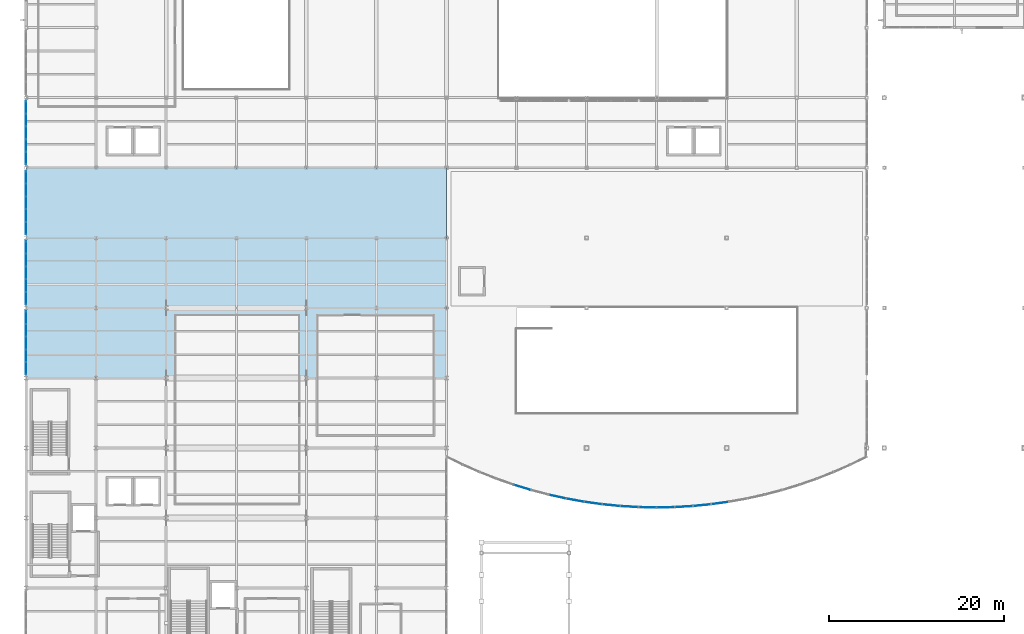
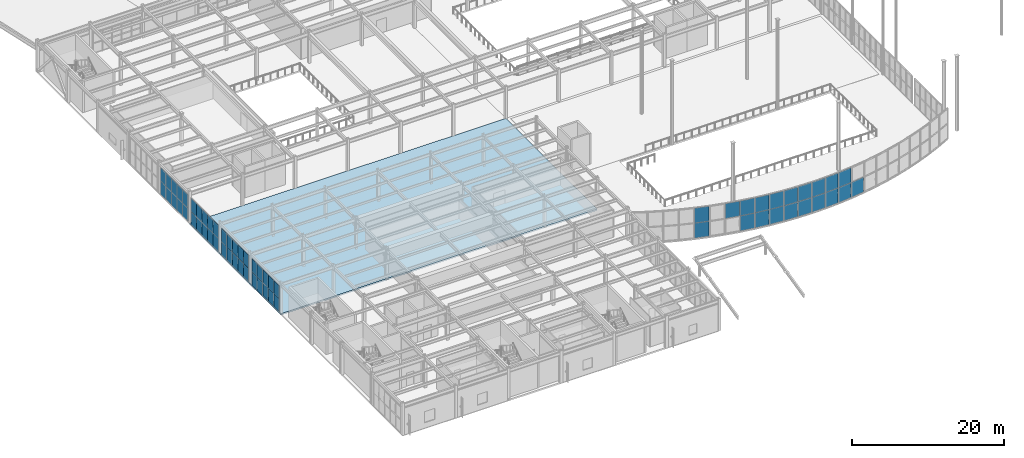
# One storey, part 47 of 77: 60 plates, 1 slab, 15 elements without a shape of their own.
"""IFC4 building model written with IfcOpenShell, lengths in metres."""

from ifc_helpers import new_model, si_unit, direction, frame, origin, origin_2d, place, context, subcontext, project, spatial, polyline, rectangle, outline, extrude, material, layer, layer_set, type_object, element, aggregate, save


model = new_model("IFC4")

# Units and contexts
model_context = context("Model", 3, precision=1e-05, world=origin(), true_north=direction((0.0, 1.0)))
body_context = subcontext(model_context, "Body", "Model", "MODEL_VIEW")
ifc_project = project(units=[si_unit("LENGTHUNIT", "METRE"), si_unit("AREAUNIT", "SQUARE_METRE"), si_unit("VOLUMEUNIT", "CUBIC_METRE"), si_unit("PLANEANGLEUNIT", "RADIAN"), si_unit("MASSUNIT", "GRAM", prefix="KILO")], contexts=[model_context])

# Site, building, storey
site_placement = place(None, origin())
site = spatial("IfcSite", under=ifc_project, at=site_placement, CompositionType="ELEMENT")
building_placement = place(site_placement, origin())
building = spatial("IfcBuilding", under=site, at=building_placement, Name="Drelvath Fold Interchange", CompositionType="ELEMENT")
storey_placement = place(building_placement, frame((0.0, 0.0, 6.0)))
storey = spatial("IfcBuildingStorey", under=building, at=storey_placement, Name="L01", CompositionType="ELEMENT", Elevation=6.0)

# Curtain wall, plates
ifc_material_1 = material(Name="Anodized Aluminium 6063-T6", Category="aluminium")
curtain_wall_type_1 = type_object("IfcCurtainWallType", Name="CW-ARC-L01", PredefinedType="USERDEFINED", material=ifc_material_1)
curtain_wall_1_placement = place(storey_placement, origin())
curtain_wall_1 = element("IfcCurtainWall", 1, at=curtain_wall_1_placement, inside=storey, type_object=curtain_wall_type_1, Name="Curtain wall CW-WH-L01-04", ObjectType="UNITISED CURTAIN WALL", PredefinedType="USERDEFINED")
ifc_material_2 = material(Name="Low-Iron Insulated Laminated Glass", Category="glass")
ifc_layer_1 = layer(ifc_material_2, 0.035888671875, Name="Low-Iron Insulated Laminated Glass")
ifc_layer_set_1 = layer_set([ifc_layer_1], Name="Low-Iron Insulated Laminated Glass")
plate_type_1 = type_object("IfcPlateType", Name="CP-ARC-A", PredefinedType="CURTAIN_PANEL", material=ifc_layer_set_1)
plate_1_placement = place(storey_placement, frame((60.652099609375, 22.4970703125, 0.0400390625), z_axis=(0.0, 0.0, 1.0), x_axis=(0.956330266566, -0.292288250276, 0.0)))
plate_1 = element("IfcPlate", 2, at=plate_1_placement, type_object=plate_type_1, Name="CW-WH-L01-04 glazed panel 0-0", PredefinedType="CURTAIN_PANEL", context=body_context, shape_type="SweptSolid", body=[
    extrude(rectangle(XDim=1.97705078125, YDim=0.035888671875, at=origin_2d()), origin(), (0.0, 0.0, 1.0), 2.39990234375),
])
plate_2_placement = place(storey_placement, frame((60.652099609375, 22.4970703125, 2.4599609375), z_axis=(0.0, 0.0, 1.0), x_axis=(0.956330266566, -0.292288250276, 0.0)))
plate_2 = element("IfcPlate", 3, at=plate_2_placement, type_object=plate_type_1, Name="CW-WH-L01-04 glazed panel 0-1", PredefinedType="CURTAIN_PANEL", context=body_context, shape_type="SweptSolid", body=[
    extrude(rectangle(XDim=1.97705078125, YDim=0.035888671875, at=origin_2d()), origin(), (0.0, 0.0, 1.0), 2.39990234375),
])
aggregate(curtain_wall_1, [plate_1, plate_2])

# Curtain wall, plate
curtain_wall_2_placement = place(storey_placement, origin())
curtain_wall_2 = element("IfcCurtainWall", 4, at=curtain_wall_2_placement, inside=storey, type_object=curtain_wall_type_1, Name="Curtain wall CW-WH-L01-06", ObjectType="UNITISED CURTAIN WALL", PredefinedType="USERDEFINED")
plate_3_placement = place(storey_placement, frame((64.66796875, 21.44091796875, 2.4599609375), z_axis=(0.0, 0.0, 1.0), x_axis=(0.976458168269, -0.215706851122, 0.0)))
plate_3 = element("IfcPlate", 5, at=plate_3_placement, type_object=plate_type_1, Name="CW-WH-L01-06 glazed panel 0-1", PredefinedType="CURTAIN_PANEL", context=body_context, shape_type="SweptSolid", body=[
    extrude(rectangle(XDim=1.97705078125, YDim=0.035888671875, at=origin_2d()), origin(), (0.0, 0.0, 1.0), 2.39990234375),
])
aggregate(curtain_wall_2, [plate_3])

# Curtain wall, plates
curtain_wall_3_placement = place(storey_placement, origin())
curtain_wall_3 = element("IfcCurtainWall", 6, at=curtain_wall_3_placement, inside=storey, type_object=curtain_wall_type_1, Name="Curtain wall CW-WH-L01-07", ObjectType="UNITISED CURTAIN WALL", PredefinedType="USERDEFINED")
plate_4_placement = place(storey_placement, frame((66.7041015625, 21.032958984375, 0.0400390625), z_axis=(0.0, 0.0, 1.0), x_axis=(0.984177058302, -0.177187804071, 0.0)))
plate_4 = element("IfcPlate", 7, at=plate_4_placement, type_object=plate_type_1, Name="CW-WH-L01-07 glazed panel 0-0", PredefinedType="CURTAIN_PANEL", context=body_context, shape_type="SweptSolid", body=[
    extrude(rectangle(XDim=1.97705078125, YDim=0.035888671875, at=origin_2d()), origin(), (0.0, 0.0, 1.0), 2.39990234375),
])
plate_5_placement = place(storey_placement, frame((66.7041015625, 21.032958984375, 2.4599609375), z_axis=(0.0, 0.0, 1.0), x_axis=(0.984177058302, -0.177187804071, 0.0)))
plate_5 = element("IfcPlate", 8, at=plate_5_placement, type_object=plate_type_1, Name="CW-WH-L01-07 glazed panel 0-1", PredefinedType="CURTAIN_PANEL", context=body_context, shape_type="SweptSolid", body=[
    extrude(rectangle(XDim=1.97705078125, YDim=0.035888671875, at=origin_2d()), origin(), (0.0, 0.0, 1.0), 2.39990234375),
])
aggregate(curtain_wall_3, [plate_4, plate_5])

curtain_wall_4_placement = place(storey_placement, origin())
curtain_wall_4 = element("IfcCurtainWall", 9, at=curtain_wall_4_placement, inside=storey, type_object=curtain_wall_type_1, Name="Curtain wall CW-WH-L01-08", ObjectType="UNITISED CURTAIN WALL", PredefinedType="USERDEFINED")
plate_6_placement = place(storey_placement, frame((68.7548828125, 20.7060546875, 0.0400390625), z_axis=(0.0, 0.0, 1.0), x_axis=(0.990406033328, -0.138187876271, 0.0)))
plate_6 = element("IfcPlate", 10, at=plate_6_placement, type_object=plate_type_1, Name="CW-WH-L01-08 glazed panel 0-0", PredefinedType="CURTAIN_PANEL", context=body_context, shape_type="SweptSolid", body=[
    extrude(rectangle(XDim=1.97705078125, YDim=0.035888671875, at=origin_2d()), origin(), (0.0, 0.0, 1.0), 2.39990234375),
])
plate_7_placement = place(storey_placement, frame((68.7548828125, 20.7060546875, 2.4599609375), z_axis=(0.0, 0.0, 1.0), x_axis=(0.990406033328, -0.138187876271, 0.0)))
plate_7 = element("IfcPlate", 11, at=plate_7_placement, type_object=plate_type_1, Name="CW-WH-L01-08 glazed panel 0-1", PredefinedType="CURTAIN_PANEL", context=body_context, shape_type="SweptSolid", body=[
    extrude(rectangle(XDim=1.97705078125, YDim=0.035888671875, at=origin_2d()), origin(), (0.0, 0.0, 1.0), 2.39990234375),
])
aggregate(curtain_wall_4, [plate_6, plate_7])

curtain_wall_5_placement = place(storey_placement, origin())
curtain_wall_5 = element("IfcCurtainWall", 12, at=curtain_wall_5_placement, inside=storey, type_object=curtain_wall_type_1, Name="Curtain wall CW-WH-L01-09", ObjectType="UNITISED CURTAIN WALL", PredefinedType="USERDEFINED")
plate_8_placement = place(storey_placement, frame((70.81591796875, 20.458984375, 0.0400390625), z_axis=(0.0, 0.0, 1.0), x_axis=(0.99511777798, -0.098694518326, 0.0)))
plate_8 = element("IfcPlate", 13, at=plate_8_placement, type_object=plate_type_1, Name="CW-WH-L01-09 glazed panel 0-0", PredefinedType="CURTAIN_PANEL", context=body_context, shape_type="SweptSolid", body=[
    extrude(rectangle(XDim=1.97705078125, YDim=0.035888671875, at=origin_2d()), origin(), (0.0, 0.0, 1.0), 2.39990234375),
])
plate_9_placement = place(storey_placement, frame((70.81591796875, 20.458984375, 2.4599609375), z_axis=(0.0, 0.0, 1.0), x_axis=(0.99511777798, -0.098694518326, 0.0)))
plate_9 = element("IfcPlate", 14, at=plate_9_placement, type_object=plate_type_1, Name="CW-WH-L01-09 glazed panel 0-1", PredefinedType="CURTAIN_PANEL", context=body_context, shape_type="SweptSolid", body=[
    extrude(rectangle(XDim=1.97705078125, YDim=0.035888671875, at=origin_2d()), origin(), (0.0, 0.0, 1.0), 2.39990234375),
])
aggregate(curtain_wall_5, [plate_8, plate_9])

curtain_wall_6_placement = place(storey_placement, origin())
curtain_wall_6 = element("IfcCurtainWall", 15, at=curtain_wall_6_placement, inside=storey, type_object=curtain_wall_type_1, Name="Curtain wall CW-WH-L01-10", ObjectType="UNITISED CURTAIN WALL", PredefinedType="USERDEFINED")
plate_10_placement = place(storey_placement, frame((72.885986328125, 20.2958984375, 0.0400390625), z_axis=(0.0, 0.0, 1.0), x_axis=(0.998243965857, -0.059236683145, 0.0)))
plate_10 = element("IfcPlate", 16, at=plate_10_placement, type_object=plate_type_1, Name="CW-WH-L01-10 glazed panel 0-0", PredefinedType="CURTAIN_PANEL", context=body_context, shape_type="SweptSolid", body=[
    extrude(rectangle(XDim=1.97705078125, YDim=0.035888671875, at=origin_2d()), origin(), (0.0, 0.0, 1.0), 2.39990234375),
])
plate_11_placement = place(storey_placement, frame((72.885986328125, 20.2958984375, 2.4599609375), z_axis=(0.0, 0.0, 1.0), x_axis=(0.998243965857, -0.059236683145, 0.0)))
plate_11 = element("IfcPlate", 17, at=plate_11_placement, type_object=plate_type_1, Name="CW-WH-L01-10 glazed panel 0-1", PredefinedType="CURTAIN_PANEL", context=body_context, shape_type="SweptSolid", body=[
    extrude(rectangle(XDim=1.97705078125, YDim=0.035888671875, at=origin_2d()), origin(), (0.0, 0.0, 1.0), 2.39990234375),
])
aggregate(curtain_wall_6, [plate_10, plate_11])

curtain_wall_7_placement = place(storey_placement, origin())
curtain_wall_7 = element("IfcCurtainWall", 18, at=curtain_wall_7_placement, inside=storey, type_object=curtain_wall_type_1, Name="Curtain wall CW-WH-L01-11", ObjectType="UNITISED CURTAIN WALL", PredefinedType="USERDEFINED")
plate_12_placement = place(storey_placement, frame((74.9619140625, 20.214111328125, 0.0400390625), z_axis=(0.0, 0.0, 1.0), x_axis=(0.999805178965, -0.019738391922, 0.0)))
plate_12 = element("IfcPlate", 19, at=plate_12_placement, type_object=plate_type_1, Name="CW-WH-L01-11 glazed panel 0-0", PredefinedType="CURTAIN_PANEL", context=body_context, shape_type="SweptSolid", body=[
    extrude(rectangle(XDim=1.97705078125, YDim=0.035888671875, at=origin_2d()), origin(), (0.0, 0.0, 1.0), 2.39990234375),
])
plate_13_placement = place(storey_placement, frame((74.9619140625, 20.214111328125, 2.4599609375), z_axis=(0.0, 0.0, 1.0), x_axis=(0.999805178965, -0.019738391922, 0.0)))
plate_13 = element("IfcPlate", 20, at=plate_13_placement, type_object=plate_type_1, Name="CW-WH-L01-11 glazed panel 0-1", PredefinedType="CURTAIN_PANEL", context=body_context, shape_type="SweptSolid", body=[
    extrude(rectangle(XDim=1.97705078125, YDim=0.035888671875, at=origin_2d()), origin(), (0.0, 0.0, 1.0), 2.39990234375),
])
aggregate(curtain_wall_7, [plate_12, plate_13])

curtain_wall_8_placement = place(storey_placement, origin())
curtain_wall_8 = element("IfcCurtainWall", 21, at=curtain_wall_8_placement, inside=storey, type_object=curtain_wall_type_1, Name="Curtain wall CW-WH-L01-12", ObjectType="UNITISED CURTAIN WALL", PredefinedType="USERDEFINED")
plate_14_placement = place(storey_placement, frame((77.0380859375, 20.214111328125, 0.0400390625), z_axis=(0.0, 0.0, 1.0), x_axis=(0.999805178965, 0.019738391922, 0.0)))
plate_14 = element("IfcPlate", 22, at=plate_14_placement, type_object=plate_type_1, Name="CW-WH-L01-12 glazed panel 0-0", PredefinedType="CURTAIN_PANEL", context=body_context, shape_type="SweptSolid", body=[
    extrude(rectangle(XDim=1.97705078125, YDim=0.035888671875, at=origin_2d()), origin(), (0.0, 0.0, 1.0), 2.39990234375),
])
plate_15_placement = place(storey_placement, frame((77.0380859375, 20.214111328125, 2.4599609375), z_axis=(0.0, 0.0, 1.0), x_axis=(0.999805178965, 0.019738391922, 0.0)))
plate_15 = element("IfcPlate", 23, at=plate_15_placement, type_object=plate_type_1, Name="CW-WH-L01-12 glazed panel 0-1", PredefinedType="CURTAIN_PANEL", context=body_context, shape_type="SweptSolid", body=[
    extrude(rectangle(XDim=1.97705078125, YDim=0.035888671875, at=origin_2d()), origin(), (0.0, 0.0, 1.0), 2.39990234375),
])
aggregate(curtain_wall_8, [plate_14, plate_15])

curtain_wall_9_placement = place(storey_placement, origin())
curtain_wall_9 = element("IfcCurtainWall", 24, at=curtain_wall_9_placement, inside=storey, type_object=curtain_wall_type_1, Name="Curtain wall CW-WH-L01-13", ObjectType="UNITISED CURTAIN WALL", PredefinedType="USERDEFINED")
plate_16_placement = place(storey_placement, frame((79.114013671875, 20.2958984375, 0.0400390625), z_axis=(0.0, 0.0, 1.0), x_axis=(0.998243965857, 0.059236683145, 0.0)))
plate_16 = element("IfcPlate", 25, at=plate_16_placement, type_object=plate_type_1, Name="CW-WH-L01-13 glazed panel 0-0", PredefinedType="CURTAIN_PANEL", context=body_context, shape_type="SweptSolid", body=[
    extrude(rectangle(XDim=1.97705078125, YDim=0.035888671875, at=origin_2d()), origin(), (0.0, 0.0, 1.0), 2.39990234375),
])
plate_17_placement = place(storey_placement, frame((79.114013671875, 20.2958984375, 2.4599609375), z_axis=(0.0, 0.0, 1.0), x_axis=(0.998243965857, 0.059236683145, 0.0)))
plate_17 = element("IfcPlate", 26, at=plate_17_placement, type_object=plate_type_1, Name="CW-WH-L01-13 glazed panel 0-1", PredefinedType="CURTAIN_PANEL", context=body_context, shape_type="SweptSolid", body=[
    extrude(rectangle(XDim=1.97705078125, YDim=0.035888671875, at=origin_2d()), origin(), (0.0, 0.0, 1.0), 2.39990234375),
])
aggregate(curtain_wall_9, [plate_16, plate_17])

curtain_wall_10_placement = place(storey_placement, origin())
curtain_wall_10 = element("IfcCurtainWall", 27, at=curtain_wall_10_placement, inside=storey, type_object=curtain_wall_type_1, Name="Curtain wall CW-WH-L01-14", ObjectType="UNITISED CURTAIN WALL", PredefinedType="USERDEFINED")
plate_18_placement = place(storey_placement, frame((81.18408203125, 20.458984375, 0.0400390625), z_axis=(0.0, 0.0, 1.0), x_axis=(0.99511777798, 0.098694518326, 0.0)))
plate_18 = element("IfcPlate", 28, at=plate_18_placement, type_object=plate_type_1, Name="CW-WH-L01-14 glazed panel 0-0", PredefinedType="CURTAIN_PANEL", context=body_context, shape_type="SweptSolid", body=[
    extrude(rectangle(XDim=1.97705078125, YDim=0.035888671875, at=origin_2d()), origin(), (0.0, 0.0, 1.0), 2.39990234375),
])
plate_19_placement = place(storey_placement, frame((81.18408203125, 20.458984375, 2.4599609375), z_axis=(0.0, 0.0, 1.0), x_axis=(0.99511777798, 0.098694518326, 0.0)))
plate_19 = element("IfcPlate", 29, at=plate_19_placement, type_object=plate_type_1, Name="CW-WH-L01-14 glazed panel 0-1", PredefinedType="CURTAIN_PANEL", context=body_context, shape_type="SweptSolid", body=[
    extrude(rectangle(XDim=1.97705078125, YDim=0.035888671875, at=origin_2d()), origin(), (0.0, 0.0, 1.0), 2.39990234375),
])
aggregate(curtain_wall_10, [plate_18, plate_19])

# Curtain wall, plate
curtain_wall_11_placement = place(storey_placement, origin())
curtain_wall_11 = element("IfcCurtainWall", 30, at=curtain_wall_11_placement, inside=storey, type_object=curtain_wall_type_1, Name="Curtain wall CW-WH-L01-15", ObjectType="UNITISED CURTAIN WALL", PredefinedType="USERDEFINED")
plate_20_placement = place(storey_placement, frame((83.2451171875, 20.7060546875, 0.0400390625), z_axis=(0.0, 0.0, 1.0), x_axis=(0.990406033328, 0.138187876271, 0.0)))
plate_20 = element("IfcPlate", 31, at=plate_20_placement, type_object=plate_type_1, Name="CW-WH-L01-15 glazed panel 0-0", PredefinedType="CURTAIN_PANEL", context=body_context, shape_type="SweptSolid", body=[
    extrude(rectangle(XDim=1.97705078125, YDim=0.035888671875, at=origin_2d()), origin(), (0.0, 0.0, 1.0), 2.39990234375),
])
aggregate(curtain_wall_11, [plate_20])

# Curtain wall, plates
curtain_wall_type_2 = type_object("IfcCurtainWallType", Name="CW-CON-520", PredefinedType="USERDEFINED", material=ifc_material_1)
curtain_wall_12_placement = place(storey_placement, origin())
curtain_wall_12 = element("IfcCurtainWall", 32, at=curtain_wall_12_placement, inside=storey, type_object=curtain_wall_type_2, Name="Curtain wall CW-V1-L01-W59", ObjectType="UNITISED CURTAIN WALL", PredefinedType="USERDEFINED")
ifc_layer_2 = layer(ifc_material_2, 0.05810546875, Name="Low-Iron Insulated Laminated Glass")
ifc_layer_set_2 = layer_set([ifc_layer_2], Name="Low-Iron Insulated Laminated Glass")
plate_type_2 = type_object("IfcPlateType", Name="CP-CON-B", PredefinedType="CURTAIN_PANEL", material=ifc_layer_set_2)
plate_21_placement = place(storey_placement, frame((4.0, 60.10791015625, 0.04052734375), z_axis=(0.0, 0.0, 1.0), x_axis=(0.0, 1.0, 0.0)))
plate_21 = element("IfcPlate", 33, at=plate_21_placement, type_object=plate_type_2, Name="CW-V1-L01-W59 glazed panel 0-0", PredefinedType="CURTAIN_PANEL", context=body_context, shape_type="SweptSolid", body=[
    extrude(rectangle(XDim=1.39599609375, YDim=0.05810546875, at=origin_2d()), origin(), (0.0, 0.0, 1.0), 2.125),
])
plate_22_placement = place(storey_placement, frame((4.0, 60.10791015625, 2.185546875), z_axis=(0.0, 0.0, 1.0), x_axis=(0.0, 1.0, 0.0)))
plate_22 = element("IfcPlate", 34, at=plate_22_placement, type_object=plate_type_2, Name="CW-V1-L01-W59 glazed panel 0-1", PredefinedType="CURTAIN_PANEL", context=body_context, shape_type="SweptSolid", body=[
    extrude(rectangle(XDim=1.39599609375, YDim=0.05810546875, at=origin_2d()), origin(), (0.0, 0.0, 1.0), 2.125),
])
plate_23_placement = place(storey_placement, frame((4.0, 61.5439453125, 0.04052734375), z_axis=(0.0, 0.0, 1.0), x_axis=(0.0, 1.0, 0.0)))
plate_23 = element("IfcPlate", 35, at=plate_23_placement, type_object=plate_type_2, Name="CW-V1-L01-W59 glazed panel 1-0", PredefinedType="CURTAIN_PANEL", context=body_context, shape_type="SweptSolid", body=[
    extrude(rectangle(XDim=1.43603515625, YDim=0.05810546875, at=origin_2d()), origin(), (0.0, 0.0, 1.0), 2.125),
])
plate_24_placement = place(storey_placement, frame((4.0, 61.5439453125, 2.185546875), z_axis=(0.0, 0.0, 1.0), x_axis=(0.0, 1.0, 0.0)))
plate_24 = element("IfcPlate", 36, at=plate_24_placement, type_object=plate_type_2, Name="CW-V1-L01-W59 glazed panel 1-1", PredefinedType="CURTAIN_PANEL", context=body_context, shape_type="SweptSolid", body=[
    extrude(rectangle(XDim=1.43603515625, YDim=0.05810546875, at=origin_2d()), origin(), (0.0, 0.0, 1.0), 2.125),
])
plate_25_placement = place(storey_placement, frame((4.0, 63.0, 0.04052734375), z_axis=(0.0, 0.0, 1.0), x_axis=(0.0, 1.0, 0.0)))
plate_25 = element("IfcPlate", 37, at=plate_25_placement, type_object=plate_type_2, Name="CW-V1-L01-W59 glazed panel 2-0", PredefinedType="CURTAIN_PANEL", context=body_context, shape_type="SweptSolid", body=[
    extrude(rectangle(XDim=1.43603515625, YDim=0.05810546875, at=origin_2d()), origin(), (0.0, 0.0, 1.0), 2.125),
])
plate_26_placement = place(storey_placement, frame((4.0, 63.0, 2.185546875), z_axis=(0.0, 0.0, 1.0), x_axis=(0.0, 1.0, 0.0)))
plate_26 = element("IfcPlate", 38, at=plate_26_placement, type_object=plate_type_2, Name="CW-V1-L01-W59 glazed panel 2-1", PredefinedType="CURTAIN_PANEL", context=body_context, shape_type="SweptSolid", body=[
    extrude(rectangle(XDim=1.43603515625, YDim=0.05810546875, at=origin_2d()), origin(), (0.0, 0.0, 1.0), 2.125),
])
plate_27_placement = place(storey_placement, frame((4.0, 64.4560546875, 0.04052734375), z_axis=(0.0, 0.0, 1.0), x_axis=(0.0, 1.0, 0.0)))
plate_27 = element("IfcPlate", 39, at=plate_27_placement, type_object=plate_type_2, Name="CW-V1-L01-W59 glazed panel 3-0", PredefinedType="CURTAIN_PANEL", context=body_context, shape_type="SweptSolid", body=[
    extrude(rectangle(XDim=1.43603515625, YDim=0.05810546875, at=origin_2d()), origin(), (0.0, 0.0, 1.0), 2.125),
])
plate_28_placement = place(storey_placement, frame((4.0, 64.4560546875, 2.185546875), z_axis=(0.0, 0.0, 1.0), x_axis=(0.0, 1.0, 0.0)))
plate_28 = element("IfcPlate", 40, at=plate_28_placement, type_object=plate_type_2, Name="CW-V1-L01-W59 glazed panel 3-1", PredefinedType="CURTAIN_PANEL", context=body_context, shape_type="SweptSolid", body=[
    extrude(rectangle(XDim=1.43603515625, YDim=0.05810546875, at=origin_2d()), origin(), (0.0, 0.0, 1.0), 2.125),
])
plate_29_placement = place(storey_placement, frame((4.0, 65.89208984375, 0.04052734375), z_axis=(0.0, 0.0, 1.0), x_axis=(0.0, 1.0, 0.0)))
plate_29 = element("IfcPlate", 41, at=plate_29_placement, type_object=plate_type_2, Name="CW-V1-L01-W59 glazed panel 4-0", PredefinedType="CURTAIN_PANEL", context=body_context, shape_type="SweptSolid", body=[
    extrude(rectangle(XDim=1.39599609375, YDim=0.05810546875, at=origin_2d()), origin(), (0.0, 0.0, 1.0), 2.125),
])
plate_30_placement = place(storey_placement, frame((4.0, 65.89208984375, 2.185546875), z_axis=(0.0, 0.0, 1.0), x_axis=(0.0, 1.0, 0.0)))
plate_30 = element("IfcPlate", 42, at=plate_30_placement, type_object=plate_type_2, Name="CW-V1-L01-W59 glazed panel 4-1", PredefinedType="CURTAIN_PANEL", context=body_context, shape_type="SweptSolid", body=[
    extrude(rectangle(XDim=1.39599609375, YDim=0.05810546875, at=origin_2d()), origin(), (0.0, 0.0, 1.0), 2.125),
])
aggregate(curtain_wall_12, [plate_21, plate_22, plate_23, plate_24, plate_25, plate_26, plate_27, plate_28, plate_29, plate_30])

curtain_wall_type_3 = type_object("IfcCurtainWallType", Name="CW-OPS-UPP", PredefinedType="USERDEFINED", material=ifc_material_1)
curtain_wall_13_placement = place(storey_placement, origin())
curtain_wall_13 = element("IfcCurtainWall", 43, at=curtain_wall_13_placement, inside=storey, type_object=curtain_wall_type_3, Name="Curtain wall CW-V5-L01-W35", ObjectType="UNITISED CURTAIN WALL", PredefinedType="USERDEFINED")
ifc_layer_3 = layer(ifc_material_2, 0.068115234375, Name="Low-Iron Insulated Laminated Glass")
ifc_layer_set_3 = layer_set([ifc_layer_3], Name="Low-Iron Insulated Laminated Glass")
plate_type_3 = type_object("IfcPlateType", Name="CP-OPS-A", PredefinedType="CURTAIN_PANEL", material=ifc_layer_set_3)
plate_31_placement = place(storey_placement, frame((4.0, 36.10791015625, 0.0400390625), z_axis=(0.0, 0.0, 1.0), x_axis=(0.0, 1.0, 0.0)))
plate_31 = element("IfcPlate", 44, at=plate_31_placement, type_object=plate_type_3, Name="CW-V5-L01-W35 glazed panel 0-0", PredefinedType="CURTAIN_PANEL", context=body_context, shape_type="SweptSolid", body=[
    extrude(rectangle(XDim=1.39599609375, YDim=0.068115234375, at=origin_2d()), origin(), (0.0, 0.0, 1.0), 2.10009765625),
])
plate_32_placement = place(storey_placement, frame((4.0, 36.10791015625, 2.159912109375), z_axis=(0.0, 0.0, 1.0), x_axis=(0.0, 1.0, 0.0)))
plate_32 = element("IfcPlate", 45, at=plate_32_placement, type_object=plate_type_3, Name="CW-V5-L01-W35 glazed panel 0-1", PredefinedType="CURTAIN_PANEL", context=body_context, shape_type="SweptSolid", body=[
    extrude(rectangle(XDim=1.39599609375, YDim=0.068115234375, at=origin_2d()), origin(), (0.0, 0.0, 1.0), 2.10009765625),
])
plate_33_placement = place(storey_placement, frame((4.0, 37.5439453125, 0.0400390625), z_axis=(0.0, 0.0, 1.0), x_axis=(0.0, 1.0, 0.0)))
plate_33 = element("IfcPlate", 46, at=plate_33_placement, type_object=plate_type_3, Name="CW-V5-L01-W35 glazed panel 1-0", PredefinedType="CURTAIN_PANEL", context=body_context, shape_type="SweptSolid", body=[
    extrude(rectangle(XDim=1.43603515625, YDim=0.068115234375, at=origin_2d()), origin(), (0.0, 0.0, 1.0), 2.10009765625),
])
plate_34_placement = place(storey_placement, frame((4.0, 37.5439453125, 2.159912109375), z_axis=(0.0, 0.0, 1.0), x_axis=(0.0, 1.0, 0.0)))
plate_34 = element("IfcPlate", 47, at=plate_34_placement, type_object=plate_type_3, Name="CW-V5-L01-W35 glazed panel 1-1", PredefinedType="CURTAIN_PANEL", context=body_context, shape_type="SweptSolid", body=[
    extrude(rectangle(XDim=1.43603515625, YDim=0.068115234375, at=origin_2d()), origin(), (0.0, 0.0, 1.0), 2.10009765625),
])
plate_35_placement = place(storey_placement, frame((4.0, 39.0, 0.0400390625), z_axis=(0.0, 0.0, 1.0), x_axis=(0.0, 1.0, 0.0)))
plate_35 = element("IfcPlate", 48, at=plate_35_placement, type_object=plate_type_3, Name="CW-V5-L01-W35 glazed panel 2-0", PredefinedType="CURTAIN_PANEL", context=body_context, shape_type="SweptSolid", body=[
    extrude(rectangle(XDim=1.43603515625, YDim=0.068115234375, at=origin_2d()), origin(), (0.0, 0.0, 1.0), 2.10009765625),
])
plate_36_placement = place(storey_placement, frame((4.0, 39.0, 2.159912109375), z_axis=(0.0, 0.0, 1.0), x_axis=(0.0, 1.0, 0.0)))
plate_36 = element("IfcPlate", 49, at=plate_36_placement, type_object=plate_type_3, Name="CW-V5-L01-W35 glazed panel 2-1", PredefinedType="CURTAIN_PANEL", context=body_context, shape_type="SweptSolid", body=[
    extrude(rectangle(XDim=1.43603515625, YDim=0.068115234375, at=origin_2d()), origin(), (0.0, 0.0, 1.0), 2.10009765625),
])
plate_37_placement = place(storey_placement, frame((4.0, 40.4560546875, 0.0400390625), z_axis=(0.0, 0.0, 1.0), x_axis=(0.0, 1.0, 0.0)))
plate_37 = element("IfcPlate", 50, at=plate_37_placement, type_object=plate_type_3, Name="CW-V5-L01-W35 glazed panel 3-0", PredefinedType="CURTAIN_PANEL", context=body_context, shape_type="SweptSolid", body=[
    extrude(rectangle(XDim=1.43603515625, YDim=0.068115234375, at=origin_2d()), origin(), (0.0, 0.0, 1.0), 2.10009765625),
])
plate_38_placement = place(storey_placement, frame((4.0, 40.4560546875, 2.159912109375), z_axis=(0.0, 0.0, 1.0), x_axis=(0.0, 1.0, 0.0)))
plate_38 = element("IfcPlate", 51, at=plate_38_placement, type_object=plate_type_3, Name="CW-V5-L01-W35 glazed panel 3-1", PredefinedType="CURTAIN_PANEL", context=body_context, shape_type="SweptSolid", body=[
    extrude(rectangle(XDim=1.43603515625, YDim=0.068115234375, at=origin_2d()), origin(), (0.0, 0.0, 1.0), 2.10009765625),
])
plate_39_placement = place(storey_placement, frame((4.0, 41.89208984375, 0.0400390625), z_axis=(0.0, 0.0, 1.0), x_axis=(0.0, 1.0, 0.0)))
plate_39 = element("IfcPlate", 52, at=plate_39_placement, type_object=plate_type_3, Name="CW-V5-L01-W35 glazed panel 4-0", PredefinedType="CURTAIN_PANEL", context=body_context, shape_type="SweptSolid", body=[
    extrude(rectangle(XDim=1.39599609375, YDim=0.068115234375, at=origin_2d()), origin(), (0.0, 0.0, 1.0), 2.10009765625),
])
plate_40_placement = place(storey_placement, frame((4.0, 41.89208984375, 2.159912109375), z_axis=(0.0, 0.0, 1.0), x_axis=(0.0, 1.0, 0.0)))
plate_40 = element("IfcPlate", 53, at=plate_40_placement, type_object=plate_type_3, Name="CW-V5-L01-W35 glazed panel 4-1", PredefinedType="CURTAIN_PANEL", context=body_context, shape_type="SweptSolid", body=[
    extrude(rectangle(XDim=1.39599609375, YDim=0.068115234375, at=origin_2d()), origin(), (0.0, 0.0, 1.0), 2.10009765625),
])
aggregate(curtain_wall_13, [plate_31, plate_32, plate_33, plate_34, plate_35, plate_36, plate_37, plate_38, plate_39, plate_40])

curtain_wall_14_placement = place(storey_placement, origin())
curtain_wall_14 = element("IfcCurtainWall", 54, at=curtain_wall_14_placement, inside=storey, type_object=curtain_wall_type_3, Name="Curtain wall CW-V5-L01-W43", ObjectType="UNITISED CURTAIN WALL", PredefinedType="USERDEFINED")
plate_41_placement = place(storey_placement, frame((4.0, 44.10791015625, 0.0400390625), z_axis=(0.0, 0.0, 1.0), x_axis=(0.0, 1.0, 0.0)))
plate_41 = element("IfcPlate", 55, at=plate_41_placement, type_object=plate_type_3, Name="CW-V5-L01-W43 glazed panel 0-0", PredefinedType="CURTAIN_PANEL", context=body_context, shape_type="SweptSolid", body=[
    extrude(rectangle(XDim=1.39599609375, YDim=0.068115234375, at=origin_2d()), origin(), (0.0, 0.0, 1.0), 2.10009765625),
])
plate_42_placement = place(storey_placement, frame((4.0, 44.10791015625, 2.159912109375), z_axis=(0.0, 0.0, 1.0), x_axis=(0.0, 1.0, 0.0)))
plate_42 = element("IfcPlate", 56, at=plate_42_placement, type_object=plate_type_3, Name="CW-V5-L01-W43 glazed panel 0-1", PredefinedType="CURTAIN_PANEL", context=body_context, shape_type="SweptSolid", body=[
    extrude(rectangle(XDim=1.39599609375, YDim=0.068115234375, at=origin_2d()), origin(), (0.0, 0.0, 1.0), 2.10009765625),
])
plate_43_placement = place(storey_placement, frame((4.0, 45.5439453125, 0.0400390625), z_axis=(0.0, 0.0, 1.0), x_axis=(0.0, 1.0, 0.0)))
plate_43 = element("IfcPlate", 57, at=plate_43_placement, type_object=plate_type_3, Name="CW-V5-L01-W43 glazed panel 1-0", PredefinedType="CURTAIN_PANEL", context=body_context, shape_type="SweptSolid", body=[
    extrude(rectangle(XDim=1.43603515625, YDim=0.068115234375, at=origin_2d()), origin(), (0.0, 0.0, 1.0), 2.10009765625),
])
plate_44_placement = place(storey_placement, frame((4.0, 45.5439453125, 2.159912109375), z_axis=(0.0, 0.0, 1.0), x_axis=(0.0, 1.0, 0.0)))
plate_44 = element("IfcPlate", 58, at=plate_44_placement, type_object=plate_type_3, Name="CW-V5-L01-W43 glazed panel 1-1", PredefinedType="CURTAIN_PANEL", context=body_context, shape_type="SweptSolid", body=[
    extrude(rectangle(XDim=1.43603515625, YDim=0.068115234375, at=origin_2d()), origin(), (0.0, 0.0, 1.0), 2.10009765625),
])
plate_45_placement = place(storey_placement, frame((4.0, 47.0, 0.0400390625), z_axis=(0.0, 0.0, 1.0), x_axis=(0.0, 1.0, 0.0)))
plate_45 = element("IfcPlate", 59, at=plate_45_placement, type_object=plate_type_3, Name="CW-V5-L01-W43 glazed panel 2-0", PredefinedType="CURTAIN_PANEL", context=body_context, shape_type="SweptSolid", body=[
    extrude(rectangle(XDim=1.43603515625, YDim=0.068115234375, at=origin_2d()), origin(), (0.0, 0.0, 1.0), 2.10009765625),
])
plate_46_placement = place(storey_placement, frame((4.0, 47.0, 2.159912109375), z_axis=(0.0, 0.0, 1.0), x_axis=(0.0, 1.0, 0.0)))
plate_46 = element("IfcPlate", 60, at=plate_46_placement, type_object=plate_type_3, Name="CW-V5-L01-W43 glazed panel 2-1", PredefinedType="CURTAIN_PANEL", context=body_context, shape_type="SweptSolid", body=[
    extrude(rectangle(XDim=1.43603515625, YDim=0.068115234375, at=origin_2d()), origin(), (0.0, 0.0, 1.0), 2.10009765625),
])
plate_47_placement = place(storey_placement, frame((4.0, 48.4560546875, 0.0400390625), z_axis=(0.0, 0.0, 1.0), x_axis=(0.0, 1.0, 0.0)))
plate_47 = element("IfcPlate", 61, at=plate_47_placement, type_object=plate_type_3, Name="CW-V5-L01-W43 glazed panel 3-0", PredefinedType="CURTAIN_PANEL", context=body_context, shape_type="SweptSolid", body=[
    extrude(rectangle(XDim=1.43603515625, YDim=0.068115234375, at=origin_2d()), origin(), (0.0, 0.0, 1.0), 2.10009765625),
])
plate_48_placement = place(storey_placement, frame((4.0, 48.4560546875, 2.159912109375), z_axis=(0.0, 0.0, 1.0), x_axis=(0.0, 1.0, 0.0)))
plate_48 = element("IfcPlate", 62, at=plate_48_placement, type_object=plate_type_3, Name="CW-V5-L01-W43 glazed panel 3-1", PredefinedType="CURTAIN_PANEL", context=body_context, shape_type="SweptSolid", body=[
    extrude(rectangle(XDim=1.43603515625, YDim=0.068115234375, at=origin_2d()), origin(), (0.0, 0.0, 1.0), 2.10009765625),
])
plate_49_placement = place(storey_placement, frame((4.0, 49.89208984375, 0.0400390625), z_axis=(0.0, 0.0, 1.0), x_axis=(0.0, 1.0, 0.0)))
plate_49 = element("IfcPlate", 63, at=plate_49_placement, type_object=plate_type_3, Name="CW-V5-L01-W43 glazed panel 4-0", PredefinedType="CURTAIN_PANEL", context=body_context, shape_type="SweptSolid", body=[
    extrude(rectangle(XDim=1.39599609375, YDim=0.068115234375, at=origin_2d()), origin(), (0.0, 0.0, 1.0), 2.10009765625),
])
plate_50_placement = place(storey_placement, frame((4.0, 49.89208984375, 2.159912109375), z_axis=(0.0, 0.0, 1.0), x_axis=(0.0, 1.0, 0.0)))
plate_50 = element("IfcPlate", 64, at=plate_50_placement, type_object=plate_type_3, Name="CW-V5-L01-W43 glazed panel 4-1", PredefinedType="CURTAIN_PANEL", context=body_context, shape_type="SweptSolid", body=[
    extrude(rectangle(XDim=1.39599609375, YDim=0.068115234375, at=origin_2d()), origin(), (0.0, 0.0, 1.0), 2.10009765625),
])
aggregate(curtain_wall_14, [plate_41, plate_42, plate_43, plate_44, plate_45, plate_46, plate_47, plate_48, plate_49, plate_50])

curtain_wall_15_placement = place(storey_placement, origin())
curtain_wall_15 = element("IfcCurtainWall", 65, at=curtain_wall_15_placement, inside=storey, type_object=curtain_wall_type_3, Name="Curtain wall CW-V5-L01-W51", ObjectType="UNITISED CURTAIN WALL", PredefinedType="USERDEFINED")
plate_51_placement = place(storey_placement, frame((4.0, 52.10791015625, 0.0400390625), z_axis=(0.0, 0.0, 1.0), x_axis=(0.0, 1.0, 0.0)))
plate_51 = element("IfcPlate", 66, at=plate_51_placement, type_object=plate_type_3, Name="CW-V5-L01-W51 glazed panel 0-0", PredefinedType="CURTAIN_PANEL", context=body_context, shape_type="SweptSolid", body=[
    extrude(rectangle(XDim=1.39599609375, YDim=0.068115234375, at=origin_2d()), origin(), (0.0, 0.0, 1.0), 2.10009765625),
])
plate_52_placement = place(storey_placement, frame((4.0, 52.10791015625, 2.159912109375), z_axis=(0.0, 0.0, 1.0), x_axis=(0.0, 1.0, 0.0)))
plate_52 = element("IfcPlate", 67, at=plate_52_placement, type_object=plate_type_3, Name="CW-V5-L01-W51 glazed panel 0-1", PredefinedType="CURTAIN_PANEL", context=body_context, shape_type="SweptSolid", body=[
    extrude(rectangle(XDim=1.39599609375, YDim=0.068115234375, at=origin_2d()), origin(), (0.0, 0.0, 1.0), 2.10009765625),
])
plate_53_placement = place(storey_placement, frame((4.0, 53.5439453125, 0.0400390625), z_axis=(0.0, 0.0, 1.0), x_axis=(0.0, 1.0, 0.0)))
plate_53 = element("IfcPlate", 68, at=plate_53_placement, type_object=plate_type_3, Name="CW-V5-L01-W51 glazed panel 1-0", PredefinedType="CURTAIN_PANEL", context=body_context, shape_type="SweptSolid", body=[
    extrude(rectangle(XDim=1.43603515625, YDim=0.068115234375, at=origin_2d()), origin(), (0.0, 0.0, 1.0), 2.10009765625),
])
plate_54_placement = place(storey_placement, frame((4.0, 53.5439453125, 2.159912109375), z_axis=(0.0, 0.0, 1.0), x_axis=(0.0, 1.0, 0.0)))
plate_54 = element("IfcPlate", 69, at=plate_54_placement, type_object=plate_type_3, Name="CW-V5-L01-W51 glazed panel 1-1", PredefinedType="CURTAIN_PANEL", context=body_context, shape_type="SweptSolid", body=[
    extrude(rectangle(XDim=1.43603515625, YDim=0.068115234375, at=origin_2d()), origin(), (0.0, 0.0, 1.0), 2.10009765625),
])
plate_55_placement = place(storey_placement, frame((4.0, 55.0, 0.0400390625), z_axis=(0.0, 0.0, 1.0), x_axis=(0.0, 1.0, 0.0)))
plate_55 = element("IfcPlate", 70, at=plate_55_placement, type_object=plate_type_3, Name="CW-V5-L01-W51 glazed panel 2-0", PredefinedType="CURTAIN_PANEL", context=body_context, shape_type="SweptSolid", body=[
    extrude(rectangle(XDim=1.43603515625, YDim=0.068115234375, at=origin_2d()), origin(), (0.0, 0.0, 1.0), 2.10009765625),
])
plate_56_placement = place(storey_placement, frame((4.0, 55.0, 2.159912109375), z_axis=(0.0, 0.0, 1.0), x_axis=(0.0, 1.0, 0.0)))
plate_56 = element("IfcPlate", 71, at=plate_56_placement, type_object=plate_type_3, Name="CW-V5-L01-W51 glazed panel 2-1", PredefinedType="CURTAIN_PANEL", context=body_context, shape_type="SweptSolid", body=[
    extrude(rectangle(XDim=1.43603515625, YDim=0.068115234375, at=origin_2d()), origin(), (0.0, 0.0, 1.0), 2.10009765625),
])
plate_57_placement = place(storey_placement, frame((4.0, 56.4560546875, 0.0400390625), z_axis=(0.0, 0.0, 1.0), x_axis=(0.0, 1.0, 0.0)))
plate_57 = element("IfcPlate", 72, at=plate_57_placement, type_object=plate_type_3, Name="CW-V5-L01-W51 glazed panel 3-0", PredefinedType="CURTAIN_PANEL", context=body_context, shape_type="SweptSolid", body=[
    extrude(rectangle(XDim=1.43603515625, YDim=0.068115234375, at=origin_2d()), origin(), (0.0, 0.0, 1.0), 2.10009765625),
])
plate_58_placement = place(storey_placement, frame((4.0, 56.4560546875, 2.159912109375), z_axis=(0.0, 0.0, 1.0), x_axis=(0.0, 1.0, 0.0)))
plate_58 = element("IfcPlate", 73, at=plate_58_placement, type_object=plate_type_3, Name="CW-V5-L01-W51 glazed panel 3-1", PredefinedType="CURTAIN_PANEL", context=body_context, shape_type="SweptSolid", body=[
    extrude(rectangle(XDim=1.43603515625, YDim=0.068115234375, at=origin_2d()), origin(), (0.0, 0.0, 1.0), 2.10009765625),
])
plate_59_placement = place(storey_placement, frame((4.0, 57.89208984375, 0.0400390625), z_axis=(0.0, 0.0, 1.0), x_axis=(0.0, 1.0, 0.0)))
plate_59 = element("IfcPlate", 74, at=plate_59_placement, type_object=plate_type_3, Name="CW-V5-L01-W51 glazed panel 4-0", PredefinedType="CURTAIN_PANEL", context=body_context, shape_type="SweptSolid", body=[
    extrude(rectangle(XDim=1.39599609375, YDim=0.068115234375, at=origin_2d()), origin(), (0.0, 0.0, 1.0), 2.10009765625),
])
plate_60_placement = place(storey_placement, frame((4.0, 57.89208984375, 2.159912109375), z_axis=(0.0, 0.0, 1.0), x_axis=(0.0, 1.0, 0.0)))
plate_60 = element("IfcPlate", 75, at=plate_60_placement, type_object=plate_type_3, Name="CW-V5-L01-W51 glazed panel 4-1", PredefinedType="CURTAIN_PANEL", context=body_context, shape_type="SweptSolid", body=[
    extrude(rectangle(XDim=1.39599609375, YDim=0.068115234375, at=origin_2d()), origin(), (0.0, 0.0, 1.0), 2.10009765625),
])
aggregate(curtain_wall_15, [plate_51, plate_52, plate_53, plate_54, plate_55, plate_56, plate_57, plate_58, plate_59, plate_60])

# Slab
ifc_material_3 = material(Name="Concrete f'c 35 MPa (5000 psi)", Category="concrete")
ifc_layer_4 = layer(ifc_material_3, 0.239990234375, Name="Concrete f'c 35 MPa (5000 psi)")
ifc_layer_set_4 = layer_set([ifc_layer_4], Name="Concrete f'c 35 MPa (5000 psi)")
slab_type = type_object("IfcSlabType", Name="FS-UP1", PredefinedType="FLOOR", material=ifc_layer_set_4)
slab_placement = place(storey_placement, frame((0.0, 0.0, -0.239990234375)))
element("IfcSlab", 76, at=slab_placement, inside=storey, type_object=slab_type, Name="L01 structural slab SL-L01-V5N", PredefinedType="FLOOR", context=body_context, shape_type="SweptSolid", body=[
    extrude(outline(polyline([(4.0, 35.0), (52.0, 35.0), (52.0, 59.0), (4.0, 59.0), (4.0, 35.0)])), origin(), (0.0, 0.0, 1.0), 0.239990234375),
])

save(model, "model.ifc")
